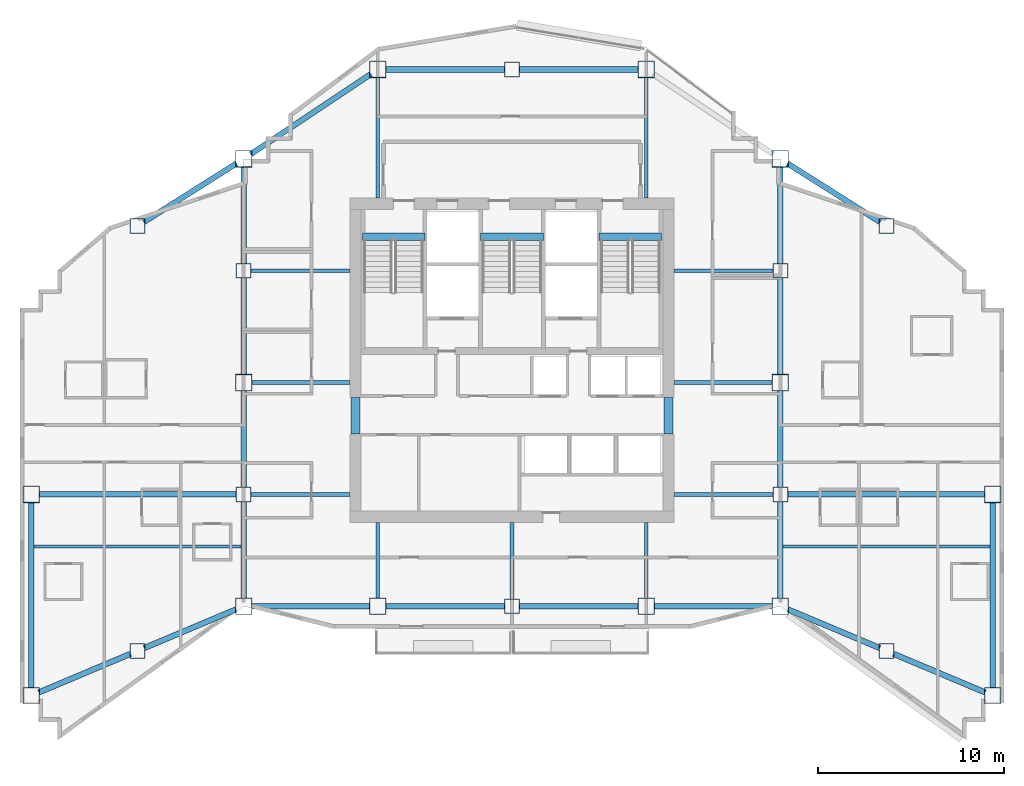
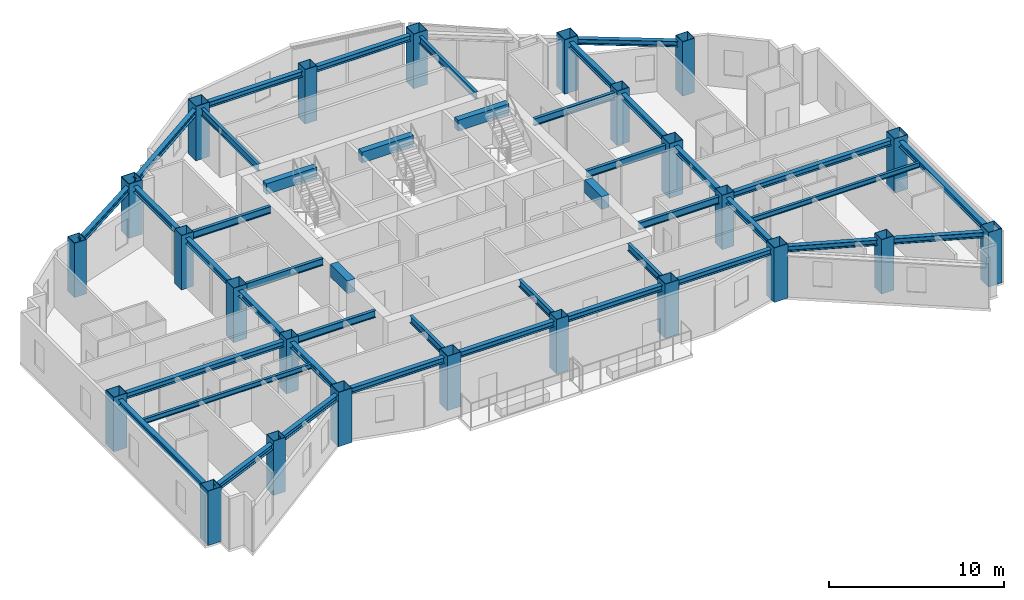
# One storey, part 1 of 12: 43 beams, 24 columns.
"""IFC4 building model written with IfcOpenShell, lengths in metres."""

from ifc_helpers import new_model, si_unit, direction, frame, origin, origin_2d, place, context, subcontext, project, spatial, rectangle, hollow_rectangle, i_section, extrude, material, material_profile, profile_set, type_object, element, save


model = new_model("IFC4")

# Units and contexts
model_context = context("Model", 3, precision=1e-05, world=origin(), true_north=direction((0.0, 1.0)))
body_context = subcontext(model_context, "Body", "Model", "MODEL_VIEW")
ifc_project = project(units=[si_unit("LENGTHUNIT", "METRE"), si_unit("AREAUNIT", "SQUARE_METRE"), si_unit("VOLUMEUNIT", "CUBIC_METRE"), si_unit("PLANEANGLEUNIT", "RADIAN"), si_unit("MASSUNIT", "GRAM", prefix="KILO")], contexts=[model_context])

# Site, building, storey
site_placement = place(None, origin())
site = spatial("IfcSite", under=ifc_project, at=site_placement, CompositionType="ELEMENT")
building_placement = place(site_placement, origin())
building = spatial("IfcBuilding", under=site, at=building_placement, Name="Haolan Belvedere Tower", CompositionType="ELEMENT")
storey_placement = place(building_placement, frame((0.0, 0.0, 203.199951171875)))
storey = spatial("IfcBuildingStorey", under=building, at=storey_placement, Name="L51", CompositionType="ELEMENT", Elevation=203.199951171875)

# Columns
ifc_material_1 = material(Name="Steel Q390GJC", Category="steel")
ifc_material_profile_1 = material_profile(ifc_material_1, hollow_rectangle(XDim=0.800048828125, YDim=0.800048828125, WallThickness=0.030029296875, at=origin_2d()), Name="Steel Q390GJC")
ifc_profile_set_1 = profile_set([ifc_material_profile_1], Name="Steel Q390GJC")
column_type_1 = type_object("IfcColumnType", Name="COL-BOX800x800x30", PredefinedType="COLUMN", material=ifc_profile_set_1)
for number, where, z_axis, x_axis, name in (
    (1, (24.0, 27.60009765625, 0.0), (0.0, 0.0, 1.0), (1.0, 0.0, 0.0), "L51 column TC-T3-W1 (BOX800x800x30)"),
    (2, (24.0, 39.60009765625, 0.0), (0.0, 0.0, 1.0), (1.0, 0.0, 0.0), "L51 column TC-T3-W2 (BOX800x800x30)"),
    (3, (52.800048828125, 27.60009765625, 0.0), (0.0, 0.0, 1.0), (1.0, 0.0, 0.0), "L51 column TC-T3-E1 (BOX800x800x30)"),
    (4, (52.800048828125, 39.60009765625, 0.0), (0.0, 0.0, 1.0), (1.0, 0.0, 0.0), "L51 column TC-T3-E2 (BOX800x800x30)"),
    (5, (38.39990234375, 21.60009765625, 0.0), (0.0, 0.0, 1.0), (1.0, 0.0, 0.0), "L51 column TC-T3-SM (BOX800x800x30)"),
    (6, (38.39990234375, 50.39990234375, 0.0), (0.0, 0.0, 1.0), (1.0, 0.0, 0.0), "L51 column TC-T3-NM (BOX800x800x30)"),
    (7, (18.300048828125, 19.199951171875, 0.0), (0.0, 0.0, 1.0), (1.0, 0.0, 0.0), "L51 column TC-T2-S1 (BOX800x800x30)"),
    (8, (18.300048828125, 42.0, 0.0), (0.0, 0.0, 1.0), (1.0, 0.0, 0.0), "L51 column TC-T2-N1 (BOX800x800x30)"),
    (9, (58.5, 19.199951171875, 0.0), (0.0, 0.0, 1.0), (1.0, 0.0, 0.0), "L51 column TC-T4-S1 (BOX800x800x30)"),
    (10, (58.5, 42.0, 0.0), (0.0, 0.0, 1.0), (1.0, 0.0, 0.0), "L51 column TC-T4-N1 (BOX800x800x30)"),
):
    element("IfcColumn", number, at=place(storey_placement, frame(where, z_axis=z_axis, x_axis=x_axis)), inside=storey, type_object=column_type_1, Name=name, PredefinedType="COLUMN", context=body_context, shape_type="SweptSolid", body=[
        extrude(hollow_rectangle(XDim=0.800048828125, YDim=0.800048828125, WallThickness=0.030029296875, at=origin_2d()), origin(), (0.0, 0.0, 1.0), 3.800048828125),
    ])
ifc_material_profile_2 = material_profile(ifc_material_1, hollow_rectangle(XDim=0.89990234375, YDim=0.89990234375, WallThickness=0.033935546875, at=origin_2d()), Name="Steel Q390GJC")
ifc_profile_set_2 = profile_set([ifc_material_profile_2], Name="Steel Q390GJC")
column_type_2 = type_object("IfcColumnType", Name="COL-BOX900x900x34", PredefinedType="COLUMN", material=ifc_profile_set_2)
for number, where, z_axis, x_axis, name in (
    (11, (24.0, 21.60009765625, 0.0), (0.0, 0.0, 1.0), (1.0, 0.0, 0.0), "L51 column MC-T3-SW (BOX900x900x34)"),
    (12, (24.0, 33.60009765625, 0.0), (0.0, 0.0, 1.0), (1.0, 0.0, 0.0), "L51 column MC-T3-MW (BOX900x900x34)"),
    (13, (24.0, 45.60009765625, 0.0), (0.0, 0.0, 1.0), (1.0, 0.0, 0.0), "L51 column MC-T3-NW (BOX900x900x34)"),
    (14, (52.800048828125, 21.60009765625, 0.0), (0.0, 0.0, 1.0), (1.0, 0.0, 0.0), "L51 column MC-T3-SE (BOX900x900x34)"),
    (15, (52.800048828125, 33.60009765625, 0.0), (0.0, 0.0, 1.0), (1.0, 0.0, 0.0), "L51 column MC-T3-ME (BOX900x900x34)"),
    (16, (52.800048828125, 45.60009765625, 0.0), (0.0, 0.0, 1.0), (1.0, 0.0, 0.0), "L51 column MC-T3-NE (BOX900x900x34)"),
    (17, (31.199951171875, 21.60009765625, 0.0), (0.0, 0.0, 1.0), (1.0, 0.0, 0.0), "L51 column MC-T3-S1 (BOX900x900x34)"),
    (18, (45.60009765625, 21.60009765625, 0.0), (0.0, 0.0, 1.0), (1.0, 0.0, 0.0), "L51 column MC-T3-S2 (BOX900x900x34)"),
    (19, (31.199951171875, 50.39990234375, 0.0), (0.0, 0.0, 1.0), (1.0, 0.0, 0.0), "L51 column MC-T3-N1 (BOX900x900x34)"),
    (20, (45.60009765625, 50.39990234375, 0.0), (0.0, 0.0, 1.0), (1.0, 0.0, 0.0), "L51 column MC-T3-N2 (BOX900x900x34)"),
    (21, (12.60009765625, 16.800048828125, 0.0), (0.0, 0.0, 1.0), (1.0, 0.0, 0.0), "L51 column MC-T2-SW (BOX900x900x34)"),
    (22, (12.60009765625, 27.60009765625, 0.0), (0.0, 0.0, 1.0), (1.0, 0.0, 0.0), "L51 column MC-T2-MW (BOX900x900x34)"),
    (23, (64.199951171875, 16.800048828125, 0.0), (0.0, 0.0, 1.0), (1.0, 0.0, 0.0), "L51 column MC-T4-SE (BOX900x900x34)"),
    (24, (64.199951171875, 27.60009765625, 0.0), (0.0, 0.0, 1.0), (1.0, 0.0, 0.0), "L51 column MC-T4-ME (BOX900x900x34)"),
):
    element("IfcColumn", number, at=place(storey_placement, frame(where, z_axis=z_axis, x_axis=x_axis)), inside=storey, type_object=column_type_2, Name=name, PredefinedType="COLUMN", context=body_context, shape_type="SweptSolid", body=[
        extrude(hollow_rectangle(XDim=0.89990234375, YDim=0.89990234375, WallThickness=0.033935546875, at=origin_2d()), origin(), (0.0, 0.0, 1.0), 3.800048828125),
    ])

# Beams
ifc_material_2 = material(Name="Steel Q355B", Category="steel")
ifc_material_profile_3 = material_profile(ifc_material_2, i_section(OverallWidth=0.300048828125, OverallDepth=0.389892578125, WebThickness=0.010009765625, FlangeThickness=0.01611328125, FilletRadius=0.02197265625, at=origin_2d()), Name="Steel Q355B")
ifc_profile_set_3 = profile_set([ifc_material_profile_3], Name="Steel Q355B")
beam_type_1 = type_object("IfcBeamType", Name="BM-HM390x300x10x16", PredefinedType="SPANDREL", material=ifc_profile_set_3)
for number, where, z_axis, x_axis, name in (
    (25, (24.0, 22.050048828125, 3.344970703125), (0.0, 1.0, 0.0), (-1.0, 0.0, 0.0), "L51 spandrel girder MC-T3-SW-TC-T3-W1"),
    (26, (24.0, 28.0, 3.344970703125), (0.0, 1.0, 0.0), (-1.0, 0.0, 0.0), "L51 spandrel girder TC-T3-W1-MC-T3-MW"),
    (27, (24.0, 34.050048828125, 3.344970703125), (0.0, 1.0, 0.0), (-1.0, 0.0, 0.0), "L51 spandrel girder MC-T3-MW-TC-T3-W2"),
    (28, (24.0, 40.0, 3.344970703125), (0.0, 1.0, 0.0), (-1.0, 0.0, 0.0), "L51 spandrel girder TC-T3-W2-MC-T3-NW"),
    (29, (52.800048828125, 22.050048828125, 3.344970703125), (0.0, 1.0, 0.0), (-1.0, 0.0, 0.0), "L51 spandrel girder MC-T3-SE-TC-T3-E1"),
    (30, (52.800048828125, 28.0, 3.344970703125), (0.0, 1.0, 0.0), (-1.0, 0.0, 0.0), "L51 spandrel girder TC-T3-E1-MC-T3-ME"),
    (31, (52.800048828125, 34.050048828125, 3.344970703125), (0.0, 1.0, 0.0), (-1.0, 0.0, 0.0), "L51 spandrel girder MC-T3-ME-TC-T3-E2"),
    (32, (52.800048828125, 40.0, 3.344970703125), (0.0, 1.0, 0.0), (-1.0, 0.0, 0.0), "L51 spandrel girder TC-T3-E2-MC-T3-NE"),
):
    element("IfcBeam", number, at=place(storey_placement, frame(where, z_axis=z_axis, x_axis=x_axis)), inside=storey, type_object=beam_type_1, Name=name, PredefinedType="SPANDREL", context=body_context, shape_type="SweptSolid", body=[
        extrude(i_section(OverallWidth=0.300048828125, OverallDepth=0.389892578125, WebThickness=0.010009765625, FlangeThickness=0.01611328125, FilletRadius=0.02197265625, at=origin_2d()), origin(), (0.0, 0.0, 1.0), 5.14990234375),
    ])
beam_1_placement = place(storey_placement, frame((24.449951171875, 21.60009765625, 3.344970703125), z_axis=(1.0, 0.0, 0.0), x_axis=(0.0, 1.0, 0.0)))
element("IfcBeam", 33, at=beam_1_placement, inside=storey, type_object=beam_type_1, Name="L51 spandrel girder MC-T3-SW-MC-T3-S1", PredefinedType="SPANDREL", context=body_context, shape_type="SweptSolid", body=[
    extrude(i_section(OverallWidth=0.300048828125, OverallDepth=0.389892578125, WebThickness=0.010009765625, FlangeThickness=0.01611328125, FilletRadius=0.02197265625, at=origin_2d()), origin(), (0.0, 0.0, 1.0), 6.300048828125),
])
beam_2_placement = place(storey_placement, frame((31.64990234375, 21.60009765625, 3.344970703125), z_axis=(1.0, 0.0, 0.0), x_axis=(0.0, 1.0, 0.0)))
element("IfcBeam", 34, at=beam_2_placement, inside=storey, type_object=beam_type_1, Name="L51 spandrel girder MC-T3-S1-TC-T3-SM", PredefinedType="SPANDREL", context=body_context, shape_type="SweptSolid", body=[
    extrude(i_section(OverallWidth=0.300048828125, OverallDepth=0.389892578125, WebThickness=0.010009765625, FlangeThickness=0.01611328125, FilletRadius=0.02197265625, at=origin_2d()), origin(), (0.0, 0.0, 1.0), 6.35009765625),
])
beam_3_placement = place(storey_placement, frame((38.800048828125, 21.60009765625, 3.344970703125), z_axis=(1.0, 0.0, 0.0), x_axis=(0.0, 1.0, 0.0)))
element("IfcBeam", 35, at=beam_3_placement, inside=storey, type_object=beam_type_1, Name="L51 spandrel girder TC-T3-SM-MC-T3-S2", PredefinedType="SPANDREL", context=body_context, shape_type="SweptSolid", body=[
    extrude(i_section(OverallWidth=0.300048828125, OverallDepth=0.389892578125, WebThickness=0.010009765625, FlangeThickness=0.01611328125, FilletRadius=0.02197265625, at=origin_2d()), origin(), (0.0, 0.0, 1.0), 6.349853515625),
])
beam_4_placement = place(storey_placement, frame((46.050048828125, 21.60009765625, 3.344970703125), z_axis=(1.0, 0.0, 0.0), x_axis=(0.0, 1.0, 0.0)))
element("IfcBeam", 36, at=beam_4_placement, inside=storey, type_object=beam_type_1, Name="L51 spandrel girder MC-T3-S2-MC-T3-SE", PredefinedType="SPANDREL", context=body_context, shape_type="SweptSolid", body=[
    extrude(i_section(OverallWidth=0.300048828125, OverallDepth=0.389892578125, WebThickness=0.010009765625, FlangeThickness=0.01611328125, FilletRadius=0.02197265625, at=origin_2d()), origin(), (0.0, 0.0, 1.0), 6.300048828125),
])
beam_5_placement = place(storey_placement, frame((24.37451171875, 45.849609375, 3.344970703125), z_axis=(0.832050294338, 0.554700196225, 0.0), x_axis=(-0.554700196225, 0.832050294338, 0.0)))
element("IfcBeam", 37, at=beam_5_placement, inside=storey, type_object=beam_type_1, Name="L51 spandrel girder MC-T3-NW-MC-T3-N1", PredefinedType="SPANDREL", context=body_context, shape_type="SweptSolid", body=[
    extrude(i_section(OverallWidth=0.300048828125, OverallDepth=0.389892578125, WebThickness=0.010009765625, FlangeThickness=0.01611328125, FilletRadius=0.02197265625, at=origin_2d()), origin(), (0.0, 0.0, 1.0), 7.75341796875),
])
beam_6_placement = place(storey_placement, frame((31.64990234375, 50.39990234375, 3.344970703125), z_axis=(1.0, 0.0, 0.0), x_axis=(0.0, 1.0, 0.0)))
element("IfcBeam", 38, at=beam_6_placement, inside=storey, type_object=beam_type_1, Name="L51 spandrel girder MC-T3-N1-TC-T3-NM", PredefinedType="SPANDREL", context=body_context, shape_type="SweptSolid", body=[
    extrude(i_section(OverallWidth=0.300048828125, OverallDepth=0.389892578125, WebThickness=0.010009765625, FlangeThickness=0.01611328125, FilletRadius=0.02197265625, at=origin_2d()), origin(), (0.0, 0.0, 1.0), 6.35009765625),
])
beam_7_placement = place(storey_placement, frame((38.800048828125, 50.39990234375, 3.344970703125), z_axis=(1.0, 0.0, 0.0), x_axis=(0.0, 1.0, 0.0)))
element("IfcBeam", 39, at=beam_7_placement, inside=storey, type_object=beam_type_1, Name="L51 spandrel girder TC-T3-NM-MC-T3-N2", PredefinedType="SPANDREL", context=body_context, shape_type="SweptSolid", body=[
    extrude(i_section(OverallWidth=0.300048828125, OverallDepth=0.389892578125, WebThickness=0.010009765625, FlangeThickness=0.01611328125, FilletRadius=0.02197265625, at=origin_2d()), origin(), (0.0, 0.0, 1.0), 6.349853515625),
])
beam_8_placement = place(storey_placement, frame((12.60009765625, 17.25, 3.344970703125), z_axis=(0.0, 1.0, 0.0), x_axis=(-1.0, 0.0, 0.0)))
element("IfcBeam", 40, at=beam_8_placement, inside=storey, type_object=beam_type_1, Name="L51 spandrel girder MC-T2-SW-MC-T2-MW", PredefinedType="SPANDREL", context=body_context, shape_type="SweptSolid", body=[
    extrude(i_section(OverallWidth=0.300048828125, OverallDepth=0.389892578125, WebThickness=0.010009765625, FlangeThickness=0.01611328125, FilletRadius=0.02197265625, at=origin_2d()), origin(), (0.0, 0.0, 1.0), 9.89990234375),
])
beam_9_placement = place(storey_placement, frame((13.0146484375, 16.974609375, 3.344970703125), z_axis=(0.921644850741, 0.388034494733, 0.0), x_axis=(-0.388034494733, 0.921644850741, 0.0)))
element("IfcBeam", 41, at=beam_9_placement, inside=storey, type_object=beam_type_1, Name="L51 spandrel girder MC-T2-SW-TC-T2-S1", PredefinedType="SPANDREL", context=body_context, shape_type="SweptSolid", body=[
    extrude(i_section(OverallWidth=0.300048828125, OverallDepth=0.389892578125, WebThickness=0.010009765625, FlangeThickness=0.01611328125, FilletRadius=0.02197265625, at=origin_2d()), origin(), (0.0, 0.0, 1.0), 5.334716796875),
])
beam_10_placement = place(storey_placement, frame((18.668701171875, 19.355224609375, 3.344970703125), z_axis=(0.921637959557, 0.388050862006, 0.0), x_axis=(-0.388050862006, 0.921637959557, 0.0)))
element("IfcBeam", 42, at=beam_10_placement, inside=storey, type_object=beam_type_1, Name="L51 spandrel girder TC-T2-S1-MC-T3-SW", PredefinedType="SPANDREL", context=body_context, shape_type="SweptSolid", body=[
    extrude(i_section(OverallWidth=0.300048828125, OverallDepth=0.389892578125, WebThickness=0.010009765625, FlangeThickness=0.01611328125, FilletRadius=0.02197265625, at=origin_2d()), origin(), (0.0, 0.0, 1.0), 5.33447265625),
])
beam_11_placement = place(storey_placement, frame((18.63818359375, 42.213623046875, 3.344970703125), z_axis=(0.845502688092, 0.533971164417, 0.0), x_axis=(-0.533971164417, 0.845502688092, 0.0)))
element("IfcBeam", 43, at=beam_11_placement, inside=storey, type_object=beam_type_1, Name="L51 spandrel girder TC-T2-N1-MC-T3-NW", PredefinedType="SPANDREL", context=body_context, shape_type="SweptSolid", body=[
    extrude(i_section(OverallWidth=0.300048828125, OverallDepth=0.389892578125, WebThickness=0.010009765625, FlangeThickness=0.01611328125, FilletRadius=0.02197265625, at=origin_2d()), origin(), (0.0, 0.0, 1.0), 5.8916015625),
])
beam_12_placement = place(storey_placement, frame((13.050048828125, 27.60009765625, 3.344970703125), z_axis=(1.0, 0.0, 0.0), x_axis=(0.0, 1.0, 0.0)))
element("IfcBeam", 44, at=beam_12_placement, inside=storey, type_object=beam_type_1, Name="L51 spandrel girder MC-T2-MW-TC-T3-W1", PredefinedType="SPANDREL", context=body_context, shape_type="SweptSolid", body=[
    extrude(i_section(OverallWidth=0.300048828125, OverallDepth=0.389892578125, WebThickness=0.010009765625, FlangeThickness=0.01611328125, FilletRadius=0.02197265625, at=origin_2d()), origin(), (0.0, 0.0, 1.0), 10.550048828125),
])
beam_13_placement = place(storey_placement, frame((64.199951171875, 17.25, 3.344970703125), z_axis=(0.0, 1.0, 0.0), x_axis=(-1.0, 0.0, 0.0)))
element("IfcBeam", 45, at=beam_13_placement, inside=storey, type_object=beam_type_1, Name="L51 spandrel girder MC-T4-SE-MC-T4-ME", PredefinedType="SPANDREL", context=body_context, shape_type="SweptSolid", body=[
    extrude(i_section(OverallWidth=0.300048828125, OverallDepth=0.389892578125, WebThickness=0.010009765625, FlangeThickness=0.01611328125, FilletRadius=0.02197265625, at=origin_2d()), origin(), (0.0, 0.0, 1.0), 9.89990234375),
])
for number, where, z_axis, x_axis, name in (
    (46, (53.21484375, 21.42529296875, 3.344970703125), (0.921637959557, -0.388050862006, 0.0), (0.388050862006, 0.921637959557, 0.0), "L51 spandrel girder MC-T3-SE-TC-T4-S1"),
    (47, (58.86865234375, 19.044677734375, 3.344970703125), (0.921637959557, -0.388050862006, 0.0), (0.388050862006, 0.921637959557, 0.0), "L51 spandrel girder TC-T4-S1-MC-T4-SE"),
):
    element("IfcBeam", number, at=place(storey_placement, frame(where, z_axis=z_axis, x_axis=x_axis)), inside=storey, type_object=beam_type_1, Name=name, PredefinedType="SPANDREL", context=body_context, shape_type="SweptSolid", body=[
        extrude(i_section(OverallWidth=0.300048828125, OverallDepth=0.389892578125, WebThickness=0.010009765625, FlangeThickness=0.01611328125, FilletRadius=0.02197265625, at=origin_2d()), origin(), (0.0, 0.0, 1.0), 5.33447265625),
    ])
beam_14_placement = place(storey_placement, frame((53.180419921875, 45.359619140625, 3.344970703125), z_axis=(0.845502688092, -0.533971164417, 0.0), x_axis=(0.533971164417, 0.845502688092, 0.0)))
element("IfcBeam", 48, at=beam_14_placement, inside=storey, type_object=beam_type_1, Name="L51 spandrel girder MC-T3-NE-TC-T4-N1", PredefinedType="SPANDREL", context=body_context, shape_type="SweptSolid", body=[
    extrude(i_section(OverallWidth=0.300048828125, OverallDepth=0.389892578125, WebThickness=0.010009765625, FlangeThickness=0.01611328125, FilletRadius=0.02197265625, at=origin_2d()), origin(), (0.0, 0.0, 1.0), 5.8916015625),
])
beam_15_placement = place(storey_placement, frame((53.199951171875, 27.60009765625, 3.344970703125), z_axis=(1.0, 0.0, 0.0), x_axis=(0.0, 1.0, 0.0)))
element("IfcBeam", 49, at=beam_15_placement, inside=storey, type_object=beam_type_1, Name="L51 spandrel girder TC-T3-E1-MC-T4-ME", PredefinedType="SPANDREL", context=body_context, shape_type="SweptSolid", body=[
    extrude(i_section(OverallWidth=0.300048828125, OverallDepth=0.389892578125, WebThickness=0.010009765625, FlangeThickness=0.01611328125, FilletRadius=0.02197265625, at=origin_2d()), origin(), (0.0, 0.0, 1.0), 10.550048828125),
])
ifc_material_profile_4 = material_profile(ifc_material_2, i_section(OverallWidth=0.175048828125, OverallDepth=0.35009765625, WebThickness=0.007080078125, FlangeThickness=0.010986328125, FilletRadius=0.012939453125, at=origin_2d()), Name="Steel Q355B")
ifc_profile_set_4 = profile_set([ifc_material_profile_4], Name="Steel Q355B")
beam_type_2 = type_object("IfcBeamType", Name="BM-HN350x175x7x11", PredefinedType="JOIST", material=ifc_profile_set_4)
for number, where, z_axis, x_axis, name in (
    (50, (12.75, 24.800048828125, 3.364990234375), (1.0, 0.0, 0.0), (0.0, 1.0, 0.0), "L51 west wing floor joist 1"),
    (51, (52.949951171875, 24.800048828125, 3.364990234375), (1.0, 0.0, 0.0), (0.0, 1.0, 0.0), "L51 east wing floor joist 1"),
):
    element("IfcBeam", number, at=place(storey_placement, frame(where, z_axis=z_axis, x_axis=x_axis)), inside=storey, type_object=beam_type_2, Name=name, PredefinedType="JOIST", context=body_context, shape_type="SweptSolid", body=[
        extrude(i_section(OverallWidth=0.175048828125, OverallDepth=0.35009765625, WebThickness=0.007080078125, FlangeThickness=0.010986328125, FilletRadius=0.012939453125, at=origin_2d()), origin(), (0.0, 0.0, 1.0), 11.10009765625),
    ])
ifc_material_profile_5 = material_profile(ifc_material_2, i_section(OverallWidth=0.199951171875, OverallDepth=0.5, WebThickness=0.010009765625, FlangeThickness=0.01611328125, FilletRadius=0.02001953125, at=origin_2d()), Name="Steel Q355B")
ifc_profile_set_5 = profile_set([ifc_material_profile_5], Name="Steel Q355B")
beam_type_3 = type_object("IfcBeamType", Name="BM-HN500x200x10x16", PredefinedType="BEAM", material=ifc_profile_set_5)
beam_16_placement = place(storey_placement, frame((24.449951171875, 33.60009765625, 3.2900390625), z_axis=(1.0, 0.0, 0.0), x_axis=(0.0, 1.0, 0.0)))
element("IfcBeam", 52, at=beam_16_placement, inside=storey, type_object=beam_type_3, Name="L51 core tie beam from MC-T3-MW", PredefinedType="BEAM", context=body_context, shape_type="SweptSolid", body=[
    extrude(i_section(OverallWidth=0.199951171875, OverallDepth=0.5, WebThickness=0.010009765625, FlangeThickness=0.01611328125, FilletRadius=0.02001953125, at=origin_2d()), origin(), (0.0, 0.0, 1.0), 5.25),
])
for number, where, z_axis, x_axis, name in (
    (53, (24.39990234375, 27.60009765625, 3.2900390625), (1.0, 0.0, 0.0), (0.0, 1.0, 0.0), "L51 core tie beam from TC-T3-W1"),
    (54, (24.39990234375, 39.60009765625, 3.2900390625), (1.0, 0.0, 0.0), (0.0, 1.0, 0.0), "L51 core tie beam from TC-T3-W2"),
):
    element("IfcBeam", number, at=place(storey_placement, frame(where, z_axis=z_axis, x_axis=x_axis)), inside=storey, type_object=beam_type_3, Name=name, PredefinedType="BEAM", context=body_context, shape_type="SweptSolid", body=[
        extrude(i_section(OverallWidth=0.199951171875, OverallDepth=0.5, WebThickness=0.010009765625, FlangeThickness=0.01611328125, FilletRadius=0.02001953125, at=origin_2d()), origin(), (0.0, 0.0, 1.0), 5.300048828125),
    ])
beam_17_placement = place(storey_placement, frame((52.35009765625, 33.60009765625, 3.2900390625), z_axis=(-1.0, 0.0, 0.0), x_axis=(0.0, -1.0, 0.0)))
element("IfcBeam", 55, at=beam_17_placement, inside=storey, type_object=beam_type_3, Name="L51 core tie beam from MC-T3-ME", PredefinedType="BEAM", context=body_context, shape_type="SweptSolid", body=[
    extrude(i_section(OverallWidth=0.199951171875, OverallDepth=0.5, WebThickness=0.010009765625, FlangeThickness=0.01611328125, FilletRadius=0.02001953125, at=origin_2d()), origin(), (0.0, 0.0, 1.0), 5.25),
])
for number, where, z_axis, x_axis, name in (
    (56, (52.39990234375, 27.60009765625, 3.2900390625), (-1.0, 0.0, 0.0), (0.0, -1.0, 0.0), "L51 core tie beam from TC-T3-E1"),
    (57, (52.39990234375, 39.60009765625, 3.2900390625), (-1.0, 0.0, 0.0), (0.0, -1.0, 0.0), "L51 core tie beam from TC-T3-E2"),
):
    element("IfcBeam", number, at=place(storey_placement, frame(where, z_axis=z_axis, x_axis=x_axis)), inside=storey, type_object=beam_type_3, Name=name, PredefinedType="BEAM", context=body_context, shape_type="SweptSolid", body=[
        extrude(i_section(OverallWidth=0.199951171875, OverallDepth=0.5, WebThickness=0.010009765625, FlangeThickness=0.01611328125, FilletRadius=0.02001953125, at=origin_2d()), origin(), (0.0, 0.0, 1.0), 5.2998046875),
    ])
beam_18_placement = place(storey_placement, frame((31.199951171875, 22.050048828125, 3.2900390625), z_axis=(0.0, 1.0, 0.0), x_axis=(-1.0, 0.0, 0.0)))
element("IfcBeam", 58, at=beam_18_placement, inside=storey, type_object=beam_type_3, Name="L51 core tie beam from MC-T3-S1", PredefinedType="BEAM", context=body_context, shape_type="SweptSolid", body=[
    extrude(i_section(OverallWidth=0.199951171875, OverallDepth=0.5, WebThickness=0.010009765625, FlangeThickness=0.01611328125, FilletRadius=0.02001953125, at=origin_2d()), origin(), (0.0, 0.0, 1.0), 4.050048828125),
])
beam_19_placement = place(storey_placement, frame((38.39990234375, 22.0, 3.2900390625), z_axis=(0.0, 1.0, 0.0), x_axis=(-1.0, 0.0, 0.0)))
element("IfcBeam", 59, at=beam_19_placement, inside=storey, type_object=beam_type_3, Name="L51 core tie beam from TC-T3-SM", PredefinedType="BEAM", context=body_context, shape_type="SweptSolid", body=[
    extrude(i_section(OverallWidth=0.199951171875, OverallDepth=0.5, WebThickness=0.010009765625, FlangeThickness=0.01611328125, FilletRadius=0.02001953125, at=origin_2d()), origin(), (0.0, 0.0, 1.0), 4.10009765625),
])
beam_20_placement = place(storey_placement, frame((45.60009765625, 22.050048828125, 3.2900390625), z_axis=(0.0, 1.0, 0.0), x_axis=(-1.0, 0.0, 0.0)))
element("IfcBeam", 60, at=beam_20_placement, inside=storey, type_object=beam_type_3, Name="L51 core tie beam from MC-T3-S2", PredefinedType="BEAM", context=body_context, shape_type="SweptSolid", body=[
    extrude(i_section(OverallWidth=0.199951171875, OverallDepth=0.5, WebThickness=0.010009765625, FlangeThickness=0.01611328125, FilletRadius=0.02001953125, at=origin_2d()), origin(), (0.0, 0.0, 1.0), 4.050048828125),
])
for number, where, z_axis, x_axis, name in (
    (61, (31.199951171875, 49.949951171875, 3.2900390625), (0.0, -1.0, 0.0), (1.0, 0.0, 0.0), "L51 core tie beam from MC-T3-N1"),
    (62, (45.60009765625, 49.949951171875, 3.2900390625), (0.0, -1.0, 0.0), (1.0, 0.0, 0.0), "L51 core tie beam from MC-T3-N2"),
):
    element("IfcBeam", number, at=place(storey_placement, frame(where, z_axis=z_axis, x_axis=x_axis)), inside=storey, type_object=beam_type_3, Name=name, PredefinedType="BEAM", context=body_context, shape_type="SweptSolid", body=[
        extrude(i_section(OverallWidth=0.199951171875, OverallDepth=0.5, WebThickness=0.010009765625, FlangeThickness=0.01611328125, FilletRadius=0.02001953125, at=origin_2d()), origin(), (0.0, 0.0, 1.0), 6.449951171875),
    ])
ifc_material_3 = material(Name="Concrete C50/60", Category="concrete")
ifc_material_profile_6 = material_profile(ifc_material_3, rectangle(XDim=0.39990234375, YDim=0.75, at=origin_2d()), Name="Concrete C50/60")
ifc_profile_set_6 = profile_set([ifc_material_profile_6], Name="Concrete C50/60")
beam_type_4 = type_object("IfcBeamType", Name="BM-RC400x750", PredefinedType="T_BEAM", material=ifc_profile_set_6)
beam_21_placement = place(storey_placement, frame((30.3798828125, 41.429931640625, 3.425048828125), z_axis=(1.0, 0.0, 0.0), x_axis=(0.0, 1.0, 0.0)))
element("IfcBeam", 63, at=beam_21_placement, inside=storey, type_object=beam_type_4, Name="L52 stair ST1 RC header trimmer beam", PredefinedType="BEAM", context=body_context, shape_type="SweptSolid", body=[
    extrude(rectangle(XDim=0.39990234375, YDim=0.75, at=origin_2d()), origin(), (0.0, 0.0, 1.0), 3.360107421875),
])
beam_22_placement = place(storey_placement, frame((36.699951171875, 41.429931640625, 3.425048828125), z_axis=(1.0, 0.0, 0.0), x_axis=(0.0, 1.0, 0.0)))
element("IfcBeam", 64, at=beam_22_placement, inside=storey, type_object=beam_type_4, Name="L52 stair ST3 RC header trimmer beam", PredefinedType="BEAM", context=body_context, shape_type="SweptSolid", body=[
    extrude(rectangle(XDim=0.39990234375, YDim=0.75, at=origin_2d()), origin(), (0.0, 0.0, 1.0), 3.400146484375),
])
beam_23_placement = place(storey_placement, frame((43.06005859375, 41.429931640625, 3.425048828125), z_axis=(1.0, 0.0, 0.0), x_axis=(0.0, 1.0, 0.0)))
element("IfcBeam", 65, at=beam_23_placement, inside=storey, type_object=beam_type_4, Name="L52 stair ST2 RC header trimmer beam", PredefinedType="BEAM", context=body_context, shape_type="SweptSolid", body=[
    extrude(rectangle(XDim=0.39990234375, YDim=0.75, at=origin_2d()), origin(), (0.0, 0.0, 1.0), 3.35986328125),
])
ifc_material_4 = material(Name="Concrete C60/75", Category="concrete")
ifc_material_profile_7 = material_profile(ifc_material_4, rectangle(XDim=0.5, YDim=0.89990234375, at=origin_2d()), Name="Concrete C60/75")
ifc_profile_set_7 = profile_set([ifc_material_profile_7], Name="Concrete C60/75")
beam_type_5 = type_object("IfcBeamType", Name="BM-RC500x900", PredefinedType="LINTEL", material=ifc_profile_set_7)
for number, where, z_axis, x_axis, name in (
    (66, (30.0, 30.85009765625, 3.090087890625), (0.0, 1.0, 0.0), (-1.0, 0.0, 0.0), "L51 west core coupling beam CB-01"),
    (67, (46.800048828125, 30.85009765625, 3.090087890625), (0.0, 1.0, 0.0), (-1.0, 0.0, 0.0), "L51 east core coupling beam CB-01"),
):
    element("IfcBeam", number, at=place(storey_placement, frame(where, z_axis=z_axis, x_axis=x_axis)), inside=storey, type_object=beam_type_5, Name=name, PredefinedType="LINTEL", context=body_context, shape_type="SweptSolid", body=[
        extrude(rectangle(XDim=0.5, YDim=0.89990234375, at=origin_2d()), origin(), (0.0, 0.0, 1.0), 1.949951171875),
    ])

save(model, "model.ifc")
